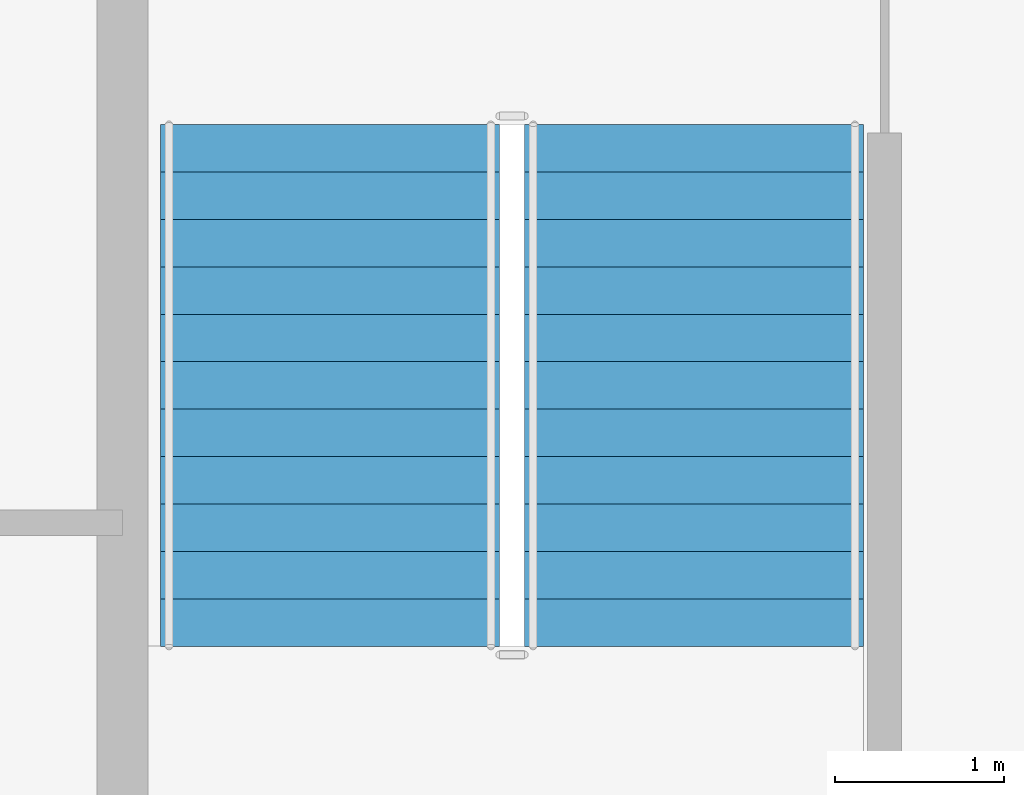
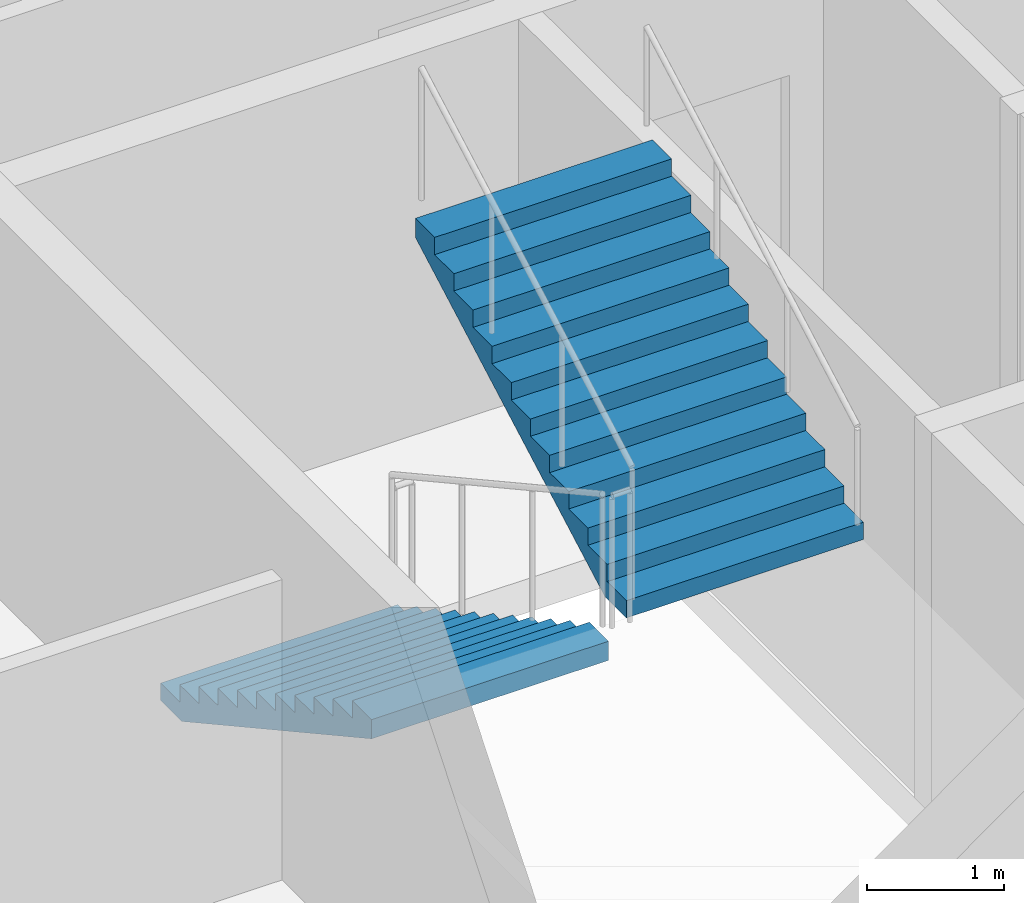
# One storey, part 10 of 14: 2 stair flights, 1 element without a shape of its own.
"""IFC4 building model written with IfcOpenShell, lengths in metres."""

import ifcopenshell
import ifcopenshell.guid

model = None  # the IFC model being written
_history = None  # IfcOwnerHistory: only IFC2X3 demands one
_inside = {}  # id of a spatial element -> (the spatial element, [elements in it])
_under = {}  # id of a project, library or spatial element -> (it, [spatial elements below it])
_declared = {}  # id of a project -> (the project, [libraries it declares])
_typed = {}  # id of a type object -> (the type object, [elements of that type])
_made_of = {}  # id of a material, layer set ... -> (it, [elements and type objects made of it])


def new_model(schema):
    """Start an empty IFC model of exactly this schema.

    Asked for "IFC4X3", IfcOpenShell would pick the latest addendum, in which some entities
    have other attributes; the version numbers below select the first issue.
    IFC2X3 requires an IfcOwnerHistory on every rooted entity: one is made here for all.
    """
    global model, _history
    if schema == "IFC4X3":
        model = ifcopenshell.file(schema_version=(4, 3, 0, 0))
    else:
        model = ifcopenshell.file(schema=schema)
    _inside.clear()
    _under.clear()
    _declared.clear()
    _typed.clear()
    _made_of.clear()
    _history = None
    if model.schema == "IFC2X3":
        org = make("IfcOrganization", Name="unknown")
        user = make(
            "IfcPersonAndOrganization",
            ThePerson=make("IfcPerson", FamilyName="unknown"),
            TheOrganization=org,
        )
        app = make(
            "IfcApplication",
            ApplicationDeveloper=org,
            Version="unknown",
            ApplicationFullName="unknown",
            ApplicationIdentifier="unknown",
        )
        _history = make(
            "IfcOwnerHistory",
            OwningUser=user,
            OwningApplication=app,
            ChangeAction="ADDED",
            CreationDate=0,
        )
    return model


def make(cls, **values):
    """One entity of the class cls with the attributes given. An attribute that is None is left unset."""
    return model.create_entity(
        cls, **{name: value for name, value in values.items() if value is not None}
    )


def rooted(cls, **values):
    """An entity with a GlobalId (a new one), such as an element, a storey or a relation."""
    return make(cls, GlobalId=ifcopenshell.guid.new(), OwnerHistory=_history, **values)


def si_unit(unit_type, name, prefix=None):
    """IfcSIUnit, for example si_unit("LENGTHUNIT", "METRE", prefix="MILLI")."""
    return make("IfcSIUnit", UnitType=unit_type, Prefix=prefix, Name=name)


def assignment(units):
    """IfcUnitAssignment: the units of a project."""
    return None if units is None else make("IfcUnitAssignment", Units=units)


def point(xyz):
    """IfcCartesianPoint."""
    return None if xyz is None else make("IfcCartesianPoint", Coordinates=xyz)


def direction(xyz):
    """IfcDirection."""
    return None if xyz is None else make("IfcDirection", DirectionRatios=xyz)


def frame(location, z_axis=None, x_axis=None):
    """IfcAxis2Placement3D, a coordinate frame: its origin and axes. An axis left out is left unset."""
    return make(
        "IfcAxis2Placement3D",
        Location=point(location),
        Axis=direction(z_axis),
        RefDirection=direction(x_axis),
    )


def origin():
    """The frame at (0, 0, 0) with its axes left unset."""
    return frame((0.0, 0.0, 0.0))


def place(relative_to, where):
    """IfcLocalPlacement: puts the frame where relative to a parent placement (None: the world)."""
    return make(
        "IfcLocalPlacement", PlacementRelTo=relative_to, RelativePlacement=where
    )


def context(
    kind, dimensions, precision=None, world=None, true_north=None, identifier=None
):
    """IfcGeometricRepresentationContext, for example the 3D "Model" context."""
    return make(
        "IfcGeometricRepresentationContext",
        ContextIdentifier=identifier,
        ContextType=kind,
        CoordinateSpaceDimension=dimensions,
        Precision=precision,
        WorldCoordinateSystem=world,
        TrueNorth=true_north,
    )


def subcontext(parent, identifier, kind, view, scale=None):
    """IfcGeometricRepresentationSubContext, for example "Body" below "Model"."""
    return make(
        "IfcGeometricRepresentationSubContext",
        ContextIdentifier=identifier,
        ContextType=kind,
        ParentContext=parent,
        TargetScale=scale,
        TargetView=view,
    )


def project(units=None, contexts=None):
    """IfcProject with its units and contexts."""
    return rooted(
        "IfcProject",
        Name="project",
        RepresentationContexts=contexts,
        UnitsInContext=assignment(units),
    )


def spatial(cls, under=None, at=None, **own):
    """A site, building, storey or space (cls), placed at a placement, below another one or the project."""
    s = rooted(cls, ObjectPlacement=at, **own)
    if under is not None:
        _under.setdefault(under.id(), (under, []))[1].append(s)
    return s


def point_list(points):
    """IfcCartesianPointList2D or 3D."""
    cls = (
        "IfcCartesianPointList2D" if len(points[0]) == 2 else "IfcCartesianPointList3D"
    )
    return make(cls, CoordList=points)


def polygons(points, faces, closed=None, point_numbers=None):
    """IfcPolygonalFaceSet: a face is its outer loop, then its inner loops; points numbered from 1."""
    made = []
    for loops in faces:
        if len(loops) == 1:
            made.append(make("IfcIndexedPolygonalFace", CoordIndex=loops[0]))
        else:
            made.append(
                make(
                    "IfcIndexedPolygonalFaceWithVoids",
                    CoordIndex=loops[0],
                    InnerCoordIndices=loops[1:],
                )
            )
    return make(
        "IfcPolygonalFaceSet",
        Coordinates=point_list(points),
        Closed=closed,
        Faces=made,
        PnIndex=point_numbers,
    )


def shape(context_of_items, identifier, shape_type, items):
    """IfcShapeRepresentation: the items that make up one representation, for example the "Body"."""
    return make(
        "IfcShapeRepresentation",
        ContextOfItems=context_of_items,
        RepresentationIdentifier=identifier,
        RepresentationType=shape_type,
        Items=items,
    )


def material(Name=None, Category=None):
    """IfcMaterial."""
    return make("IfcMaterial", Name=Name, Category=Category)


def made_of(thing, what):
    """Note that an element or type object is made of a material, layer set ...; save() writes the relation."""
    if what is not None:
        _made_of.setdefault(what.id(), (what, []))[1].append(thing)
    return thing


def type_object(cls, material=None, **own):
    """A type object (cls), such as IfcWallType, which elements share."""
    return made_of(rooted(cls, **own), material)


def element(
    cls,
    number,
    at=None,
    inside=None,
    cuts=None,
    type_object=None,
    material=None,
    context=None,
    identifier="Body",
    shape_type=None,
    held_by="IfcProductDefinitionShape",
    body=None,
    shapes=None,
    **own,
):
    """One element of the class cls, such as IfcWall. Its Tag is "e" and its number.

    at: its placement. inside: the storey or other place that contains it. cuts: it is an
    opening in that element (IfcRelVoidsElement). A single representation is given by context,
    identifier, shape_type and body (its items); several are given by shapes. held_by: the class
    of the entity that holds the representations. save() writes the other relations.
    """
    e = rooted(cls, Tag="e%d" % number, ObjectPlacement=at, **own)
    if body is not None:
        shapes = [shape(context, identifier, shape_type, body)]
    if shapes is not None:
        e.Representation = make(held_by, Representations=shapes)
    if inside is not None:
        _inside.setdefault(inside.id(), (inside, []))[1].append(e)
    if cuts is not None:
        rooted(
            "IfcRelVoidsElement", RelatingBuildingElement=cuts, RelatedOpeningElement=e
        )
    if type_object is not None:
        _typed.setdefault(type_object.id(), (type_object, []))[1].append(e)
    return made_of(e, material)


def aggregate(whole, parts):
    """IfcRelAggregates: a whole, such as a stair, and the parts it consists of."""
    return rooted("IfcRelAggregates", RelatingObject=whole, RelatedObjects=parts)


def save(model, path):
    """Write the relations noted so far, then the file.

    IfcRelAggregates (storeys below a building ...), IfcRelContainedInSpatialStructure (elements
    in a storey), IfcRelDefinesByType, IfcRelAssociatesMaterial and IfcRelDeclares: one each for
    every whole, place, type object, material and project.
    """
    for whole, parts in _under.values():
        aggregate(whole, parts)
    for where, things in _inside.values():
        rooted(
            "IfcRelContainedInSpatialStructure",
            RelatedElements=things,
            RelatingStructure=where,
        )
    for kind, things in _typed.values():
        rooted("IfcRelDefinesByType", RelatedObjects=things, RelatingType=kind)
    for what, things in _made_of.values():
        rooted("IfcRelAssociatesMaterial", RelatedObjects=things, RelatingMaterial=what)
    for by, libraries in _declared.values():
        rooted("IfcRelDeclares", RelatingContext=by, RelatedDefinitions=libraries)
    model.write(path)


model = new_model("IFC4")

# Units and contexts
model_context = context("Model", 3, precision=1e-05, world=origin(), true_north=direction((0.0, 1.0)))
body_context = subcontext(model_context, "Body", "Model", "MODEL_VIEW")
ifc_project = project(units=[si_unit("LENGTHUNIT", "METRE"), si_unit("AREAUNIT", "SQUARE_METRE"), si_unit("VOLUMEUNIT", "CUBIC_METRE"), si_unit("PLANEANGLEUNIT", "RADIAN"), si_unit("MASSUNIT", "GRAM", prefix="KILO")], contexts=[model_context])

# Site, building, storey
site_placement = place(None, origin())
site = spatial("IfcSite", under=ifc_project, at=site_placement, CompositionType="ELEMENT")
building_placement = place(site_placement, origin())
building = spatial("IfcBuilding", under=site, at=building_placement, Name="Caravel Reach Hotel and Residences", CompositionType="ELEMENT")
storey_placement = place(building_placement, frame((0.0, 0.0, 161.699951171875)))
storey = spatial("IfcBuildingStorey", under=building, at=storey_placement, Name="L40", CompositionType="ELEMENT", Elevation=161.699951171875)

# Stair, stair flights
ifc_material_1 = material(Name="Concrete C40", Category="concrete")
stair_type = type_object("IfcStairType", Name="Core stair", PredefinedType="HALF_TURN_STAIR", material=ifc_material_1)
stair_placement = place(storey_placement, origin())
stair = element("IfcStair", 1, at=stair_placement, inside=storey, type_object=stair_type, Name="L40 Exit stair A", PredefinedType="HALF_TURN_STAIR")
ifc_material_2 = material(Name="Concrete C40", Category="concrete")
stair_flight_type = type_object("IfcStairFlightType", Name="Core stair flight", PredefinedType="STRAIGHT", material=ifc_material_2)
stair_flight_1_placement = place(storey_placement, frame((19.22509765625, 29.35009765625, 0.0), z_axis=(0.0, 0.0, 1.0), x_axis=(0.0, -1.0, 0.0)))
stair_flight_1 = element("IfcStairFlight", 2, at=stair_flight_1_placement, type_object=stair_flight_type, Name="ST-A flight 1", NumberOfRisers=12, NumberOfTreads=11, PredefinedType="STRAIGHT", RiserHeight=0.154166667, TreadLength=0.28, context=body_context, shape_type="Tessellation", body=[
    polygons([(0.3107950034306102, 1.0, 0.0), (0.3107950034306102, 0.6666666666666667, 0.0), (0.3107950034306102, 0.33333333333333337, 0.0), (0.3107950034306102, 0.0, 0.0), (0.3107950034306102, -0.33333333333333326, 0.0), (0.3107950034306102, -0.6666666666666667, 0.0), (0.3107950034306102, -1.0, 0.0), (3.081, 1.0, 1.524711087717319), (3.081, 0.6666666666666667, 1.524711087717319), (3.081, 0.33333333333333337, 1.524711087717319), (3.081, 0.0, 1.524711087717319), (3.081, -0.33333333333333326, 1.524711087717319), (3.081, -0.6666666666666667, 1.524711087717319), (3.081, -1.0, 1.524711087717319), (3.081, 1.0, 1.695833337), (3.081, 0.6666666666666667, 1.695833337), (3.081, 0.33333333333333337, 1.695833337), (3.081, 0.0, 1.695833337), (3.081, -0.33333333333333326, 1.695833337), (3.081, -0.6666666666666667, 1.695833337), (3.081, -1.0, 1.695833337), (2.8000000000000003, 1.0, 1.695833337), (2.8000000000000003, 0.6666666666666667, 1.695833337), (2.8000000000000003, 0.33333333333333337, 1.695833337), (2.8000000000000003, 0.0, 1.695833337), (2.8000000000000003, -0.33333333333333326, 1.695833337), (2.8000000000000003, -0.6666666666666667, 1.695833337), (2.8000000000000003, -1.0, 1.695833337), (2.8000000000000003, 1.0, 1.5416666700000001), (2.8000000000000003, 0.6666666666666667, 1.5416666700000001), (2.8000000000000003, 0.33333333333333337, 1.5416666700000001), (2.8000000000000003, 0.0, 1.5416666700000001), (2.8000000000000003, -0.33333333333333326, 1.5416666700000001), (2.8000000000000003, -0.6666666666666667, 1.5416666700000001), (2.8000000000000003, -1.0, 1.5416666700000001), (2.5200000000000005, 1.0, 1.5416666700000001), (2.5200000000000005, 0.6666666666666667, 1.5416666700000001), (2.5200000000000005, 0.33333333333333337, 1.5416666700000001), (2.5200000000000005, 0.0, 1.5416666700000001), (2.5200000000000005, -0.33333333333333326, 1.5416666700000001), (2.5200000000000005, -0.6666666666666667, 1.5416666700000001), (2.5200000000000005, -1.0, 1.5416666700000001), (2.5200000000000005, 1.0, 1.387500003), (2.5200000000000005, 0.6666666666666667, 1.387500003), (2.5200000000000005, 0.33333333333333337, 1.387500003), (2.5200000000000005, 0.0, 1.387500003), (2.5200000000000005, -0.33333333333333326, 1.387500003), (2.5200000000000005, -0.6666666666666667, 1.387500003), (2.5200000000000005, -1.0, 1.387500003), (2.24, 1.0, 1.387500003), (2.24, 0.6666666666666667, 1.387500003), (2.24, 0.33333333333333337, 1.387500003), (2.24, 0.0, 1.387500003), (2.24, -0.33333333333333326, 1.387500003), (2.24, -0.6666666666666667, 1.387500003), (2.24, -1.0, 1.387500003), (2.24, 1.0, 1.233333336), (2.24, 0.6666666666666667, 1.233333336), (2.24, 0.33333333333333337, 1.233333336), (2.24, 0.0, 1.233333336), (2.24, -0.33333333333333326, 1.233333336), (2.24, -0.6666666666666667, 1.233333336), (2.24, -1.0, 1.233333336), (1.9600000000000002, 1.0, 1.233333336), (1.9600000000000002, 0.6666666666666667, 1.233333336), (1.9600000000000002, 0.33333333333333337, 1.233333336), (1.9600000000000002, 0.0, 1.233333336), (1.9600000000000002, -0.33333333333333326, 1.233333336), (1.9600000000000002, -0.6666666666666667, 1.233333336), (1.9600000000000002, -1.0, 1.233333336), (1.9600000000000002, 1.0, 1.0791666690000001), (1.9600000000000002, 0.6666666666666667, 1.0791666690000001), (1.9600000000000002, 0.33333333333333337, 1.0791666690000001), (1.9600000000000002, 0.0, 1.0791666690000001), (1.9600000000000002, -0.33333333333333326, 1.0791666690000001), (1.9600000000000002, -0.6666666666666667, 1.0791666690000001), (1.9600000000000002, -1.0, 1.0791666690000001), (1.6800000000000002, 1.0, 1.0791666690000001), (1.6800000000000002, 0.6666666666666667, 1.0791666690000001), (1.6800000000000002, 0.33333333333333337, 1.0791666690000001), (1.6800000000000002, 0.0, 1.0791666690000001), (1.6800000000000002, -0.33333333333333326, 1.0791666690000001), (1.6800000000000002, -0.6666666666666667, 1.0791666690000001), (1.6800000000000002, -1.0, 1.0791666690000001), (1.6800000000000002, 1.0, 0.925000002), (1.6800000000000002, 0.6666666666666667, 0.925000002), (1.6800000000000002, 0.33333333333333337, 0.925000002), (1.6800000000000002, 0.0, 0.925000002), (1.6800000000000002, -0.33333333333333326, 0.925000002), (1.6800000000000002, -0.6666666666666667, 0.925000002), (1.6800000000000002, -1.0, 0.925000002), (1.4000000000000001, 1.0, 0.925000002), (1.4000000000000001, 0.6666666666666667, 0.925000002), (1.4000000000000001, 0.33333333333333337, 0.925000002), (1.4000000000000001, 0.0, 0.925000002), (1.4000000000000001, -0.33333333333333326, 0.925000002), (1.4000000000000001, -0.6666666666666667, 0.925000002), (1.4000000000000001, -1.0, 0.925000002), (1.4000000000000001, 1.0, 0.7708333350000001), (1.4000000000000001, 0.6666666666666667, 0.7708333350000001), (1.4000000000000001, 0.33333333333333337, 0.7708333350000001), (1.4000000000000001, 0.0, 0.7708333350000001), (1.4000000000000001, -0.33333333333333326, 0.7708333350000001), (1.4000000000000001, -0.6666666666666667, 0.7708333350000001), (1.4000000000000001, -1.0, 0.7708333350000001), (1.12, 1.0, 0.7708333350000001), (1.12, 0.6666666666666667, 0.7708333350000001), (1.12, 0.33333333333333337, 0.7708333350000001), (1.12, 0.0, 0.7708333350000001), (1.12, -0.33333333333333326, 0.7708333350000001), (1.12, -0.6666666666666667, 0.7708333350000001), (1.12, -1.0, 0.7708333350000001), (1.12, 1.0, 0.616666668), (1.12, 0.6666666666666667, 0.616666668), (1.12, 0.33333333333333337, 0.616666668), (1.12, 0.0, 0.616666668), (1.12, -0.33333333333333326, 0.616666668), (1.12, -0.6666666666666667, 0.616666668), (1.12, -1.0, 0.616666668), (0.8400000000000001, 1.0, 0.616666668), (0.8400000000000001, 0.6666666666666667, 0.616666668), (0.8400000000000001, 0.33333333333333337, 0.616666668), (0.8400000000000001, 0.0, 0.616666668), (0.8400000000000001, -0.33333333333333326, 0.616666668), (0.8400000000000001, -0.6666666666666667, 0.616666668), (0.8400000000000001, -1.0, 0.616666668), (0.8400000000000001, 1.0, 0.462500001), (0.8400000000000001, 0.6666666666666667, 0.462500001), (0.8400000000000001, 0.33333333333333337, 0.462500001), (0.8400000000000001, 0.0, 0.462500001), (0.8400000000000001, -0.33333333333333326, 0.462500001), (0.8400000000000001, -0.6666666666666667, 0.462500001), (0.8400000000000001, -1.0, 0.462500001), (0.56, 1.0, 0.462500001), (0.56, 0.6666666666666667, 0.462500001), (0.56, 0.33333333333333337, 0.462500001), (0.56, 0.0, 0.462500001), (0.56, -0.33333333333333326, 0.462500001), (0.56, -0.6666666666666667, 0.462500001), (0.56, -1.0, 0.462500001), (0.56, 1.0, 0.308333334), (0.56, 0.6666666666666667, 0.308333334), (0.56, 0.33333333333333337, 0.308333334), (0.56, 0.0, 0.308333334), (0.56, -0.33333333333333326, 0.308333334), (0.56, -0.6666666666666667, 0.308333334), (0.56, -1.0, 0.308333334), (0.28, 1.0, 0.308333334), (0.28, 0.6666666666666667, 0.308333334), (0.28, 0.33333333333333337, 0.308333334), (0.28, 0.0, 0.308333334), (0.28, -0.33333333333333326, 0.308333334), (0.28, -0.6666666666666667, 0.308333334), (0.28, -1.0, 0.308333334), (0.28, 1.0, 0.154166667), (0.28, 0.6666666666666667, 0.154166667), (0.28, 0.33333333333333337, 0.154166667), (0.28, 0.0, 0.154166667), (0.28, -0.33333333333333326, 0.154166667), (0.28, -0.6666666666666667, 0.154166667), (0.28, -1.0, 0.154166667), (-0.001, 1.0, 0.154166667), (-0.001, 0.6666666666666667, 0.154166667), (-0.001, 0.33333333333333337, 0.154166667), (-0.001, 0.0, 0.154166667), (-0.001, -0.33333333333333326, 0.154166667), (-0.001, -0.6666666666666667, 0.154166667), (-0.001, -1.0, 0.154166667), (-0.001, 1.0, 0.0), (-0.001, 0.6666666666666667, 0.0), (-0.001, 0.33333333333333337, 0.0), (-0.001, 0.0, 0.0), (-0.001, -0.33333333333333326, 0.0), (-0.001, -0.6666666666666667, 0.0), (-0.001, -1.0, 0.0)], [[[169, 162, 155, 148, 141, 134, 127, 120, 113, 106, 99, 92, 85, 78, 71, 64, 57, 50, 43, 36, 29, 22, 15, 8, 1]], [[7, 14, 21, 28, 35, 42, 49, 56, 63, 70, 77, 84, 91, 98, 105, 112, 119, 126, 133, 140, 147, 154, 161, 168, 175]], [[1, 8, 9, 2]], [[2, 9, 10, 3]], [[3, 10, 11, 4]], [[4, 11, 12, 5]], [[5, 12, 13, 6]], [[6, 13, 14, 7]], [[8, 15, 16, 9]], [[9, 16, 17, 10]], [[10, 17, 18, 11]], [[11, 18, 19, 12]], [[12, 19, 20, 13]], [[13, 20, 21, 14]], [[15, 22, 23, 16]], [[16, 23, 24, 17]], [[17, 24, 25, 18]], [[18, 25, 26, 19]], [[19, 26, 27, 20]], [[20, 27, 28, 21]], [[22, 29, 30, 23]], [[23, 30, 31, 24]], [[24, 31, 32, 25]], [[25, 32, 33, 26]], [[26, 33, 34, 27]], [[27, 34, 35, 28]], [[29, 36, 37, 30]], [[30, 37, 38, 31]], [[31, 38, 39, 32]], [[32, 39, 40, 33]], [[33, 40, 41, 34]], [[34, 41, 42, 35]], [[36, 43, 44, 37]], [[37, 44, 45, 38]], [[38, 45, 46, 39]], [[39, 46, 47, 40]], [[40, 47, 48, 41]], [[41, 48, 49, 42]], [[43, 50, 51, 44]], [[44, 51, 52, 45]], [[45, 52, 53, 46]], [[46, 53, 54, 47]], [[47, 54, 55, 48]], [[48, 55, 56, 49]], [[50, 57, 58, 51]], [[51, 58, 59, 52]], [[52, 59, 60, 53]], [[53, 60, 61, 54]], [[54, 61, 62, 55]], [[55, 62, 63, 56]], [[57, 64, 65, 58]], [[58, 65, 66, 59]], [[59, 66, 67, 60]], [[60, 67, 68, 61]], [[61, 68, 69, 62]], [[62, 69, 70, 63]], [[64, 71, 72, 65]], [[65, 72, 73, 66]], [[66, 73, 74, 67]], [[67, 74, 75, 68]], [[68, 75, 76, 69]], [[69, 76, 77, 70]], [[71, 78, 79, 72]], [[72, 79, 80, 73]], [[73, 80, 81, 74]], [[74, 81, 82, 75]], [[75, 82, 83, 76]], [[76, 83, 84, 77]], [[78, 85, 86, 79]], [[79, 86, 87, 80]], [[80, 87, 88, 81]], [[81, 88, 89, 82]], [[82, 89, 90, 83]], [[83, 90, 91, 84]], [[85, 92, 93, 86]], [[86, 93, 94, 87]], [[87, 94, 95, 88]], [[88, 95, 96, 89]], [[89, 96, 97, 90]], [[90, 97, 98, 91]], [[92, 99, 100, 93]], [[93, 100, 101, 94]], [[94, 101, 102, 95]], [[95, 102, 103, 96]], [[96, 103, 104, 97]], [[97, 104, 105, 98]], [[99, 106, 107, 100]], [[100, 107, 108, 101]], [[101, 108, 109, 102]], [[102, 109, 110, 103]], [[103, 110, 111, 104]], [[104, 111, 112, 105]], [[106, 113, 114, 107]], [[107, 114, 115, 108]], [[108, 115, 116, 109]], [[109, 116, 117, 110]], [[110, 117, 118, 111]], [[111, 118, 119, 112]], [[113, 120, 121, 114]], [[114, 121, 122, 115]], [[115, 122, 123, 116]], [[116, 123, 124, 117]], [[117, 124, 125, 118]], [[118, 125, 126, 119]], [[120, 127, 128, 121]], [[121, 128, 129, 122]], [[122, 129, 130, 123]], [[123, 130, 131, 124]], [[124, 131, 132, 125]], [[125, 132, 133, 126]], [[127, 134, 135, 128]], [[128, 135, 136, 129]], [[129, 136, 137, 130]], [[130, 137, 138, 131]], [[131, 138, 139, 132]], [[132, 139, 140, 133]], [[134, 141, 142, 135]], [[135, 142, 143, 136]], [[136, 143, 144, 137]], [[137, 144, 145, 138]], [[138, 145, 146, 139]], [[139, 146, 147, 140]], [[141, 148, 149, 142]], [[142, 149, 150, 143]], [[143, 150, 151, 144]], [[144, 151, 152, 145]], [[145, 152, 153, 146]], [[146, 153, 154, 147]], [[148, 155, 156, 149]], [[149, 156, 157, 150]], [[150, 157, 158, 151]], [[151, 158, 159, 152]], [[152, 159, 160, 153]], [[153, 160, 161, 154]], [[155, 162, 163, 156]], [[156, 163, 164, 157]], [[157, 164, 165, 158]], [[158, 165, 166, 159]], [[159, 166, 167, 160]], [[160, 167, 168, 161]], [[162, 169, 170, 163]], [[163, 170, 171, 164]], [[164, 171, 172, 165]], [[165, 172, 173, 166]], [[166, 173, 174, 167]], [[167, 174, 175, 168]], [[169, 1, 2, 170]], [[170, 2, 3, 171]], [[171, 3, 4, 172]], [[172, 4, 5, 173]], [[173, 5, 6, 174]], [[174, 6, 7, 175]]], closed=True),
])
stair_flight_2_placement = place(storey_placement, frame((21.375, 26.27001953125, 1.85009765625), z_axis=(0.0, 0.0, 1.0), x_axis=(0.0, 1.0, 0.0)))
stair_flight_2 = element("IfcStairFlight", 3, at=stair_flight_2_placement, type_object=stair_flight_type, Name="ST-A flight 2", NumberOfRisers=12, NumberOfTreads=11, PredefinedType="STRAIGHT", RiserHeight=0.154166667, TreadLength=0.28, context=body_context, shape_type="Tessellation", body=[
    polygons([(0.3107950034306102, 1.0, 0.0), (0.3107950034306102, 0.6666666666666667, 0.0), (0.3107950034306102, 0.33333333333333337, 0.0), (0.3107950034306102, 0.0, 0.0), (0.3107950034306102, -0.33333333333333326, 0.0), (0.3107950034306102, -0.6666666666666667, 0.0), (0.3107950034306102, -1.0, 0.0), (3.081, 1.0, 1.524711087717319), (3.081, 0.6666666666666667, 1.524711087717319), (3.081, 0.33333333333333337, 1.524711087717319), (3.081, 0.0, 1.524711087717319), (3.081, -0.33333333333333326, 1.524711087717319), (3.081, -0.6666666666666667, 1.524711087717319), (3.081, -1.0, 1.524711087717319), (3.081, 1.0, 1.695833337), (3.081, 0.6666666666666667, 1.695833337), (3.081, 0.33333333333333337, 1.695833337), (3.081, 0.0, 1.695833337), (3.081, -0.33333333333333326, 1.695833337), (3.081, -0.6666666666666667, 1.695833337), (3.081, -1.0, 1.695833337), (2.8000000000000003, 1.0, 1.695833337), (2.8000000000000003, 0.6666666666666667, 1.695833337), (2.8000000000000003, 0.33333333333333337, 1.695833337), (2.8000000000000003, 0.0, 1.695833337), (2.8000000000000003, -0.33333333333333326, 1.695833337), (2.8000000000000003, -0.6666666666666667, 1.695833337), (2.8000000000000003, -1.0, 1.695833337), (2.8000000000000003, 1.0, 1.5416666700000001), (2.8000000000000003, 0.6666666666666667, 1.5416666700000001), (2.8000000000000003, 0.33333333333333337, 1.5416666700000001), (2.8000000000000003, 0.0, 1.5416666700000001), (2.8000000000000003, -0.33333333333333326, 1.5416666700000001), (2.8000000000000003, -0.6666666666666667, 1.5416666700000001), (2.8000000000000003, -1.0, 1.5416666700000001), (2.5200000000000005, 1.0, 1.5416666700000001), (2.5200000000000005, 0.6666666666666667, 1.5416666700000001), (2.5200000000000005, 0.33333333333333337, 1.5416666700000001), (2.5200000000000005, 0.0, 1.5416666700000001), (2.5200000000000005, -0.33333333333333326, 1.5416666700000001), (2.5200000000000005, -0.6666666666666667, 1.5416666700000001), (2.5200000000000005, -1.0, 1.5416666700000001), (2.5200000000000005, 1.0, 1.387500003), (2.5200000000000005, 0.6666666666666667, 1.387500003), (2.5200000000000005, 0.33333333333333337, 1.387500003), (2.5200000000000005, 0.0, 1.387500003), (2.5200000000000005, -0.33333333333333326, 1.387500003), (2.5200000000000005, -0.6666666666666667, 1.387500003), (2.5200000000000005, -1.0, 1.387500003), (2.24, 1.0, 1.387500003), (2.24, 0.6666666666666667, 1.387500003), (2.24, 0.33333333333333337, 1.387500003), (2.24, 0.0, 1.387500003), (2.24, -0.33333333333333326, 1.387500003), (2.24, -0.6666666666666667, 1.387500003), (2.24, -1.0, 1.387500003), (2.24, 1.0, 1.233333336), (2.24, 0.6666666666666667, 1.233333336), (2.24, 0.33333333333333337, 1.233333336), (2.24, 0.0, 1.233333336), (2.24, -0.33333333333333326, 1.233333336), (2.24, -0.6666666666666667, 1.233333336), (2.24, -1.0, 1.233333336), (1.9600000000000002, 1.0, 1.233333336), (1.9600000000000002, 0.6666666666666667, 1.233333336), (1.9600000000000002, 0.33333333333333337, 1.233333336), (1.9600000000000002, 0.0, 1.233333336), (1.9600000000000002, -0.33333333333333326, 1.233333336), (1.9600000000000002, -0.6666666666666667, 1.233333336), (1.9600000000000002, -1.0, 1.233333336), (1.9600000000000002, 1.0, 1.0791666690000001), (1.9600000000000002, 0.6666666666666667, 1.0791666690000001), (1.9600000000000002, 0.33333333333333337, 1.0791666690000001), (1.9600000000000002, 0.0, 1.0791666690000001), (1.9600000000000002, -0.33333333333333326, 1.0791666690000001), (1.9600000000000002, -0.6666666666666667, 1.0791666690000001), (1.9600000000000002, -1.0, 1.0791666690000001), (1.6800000000000002, 1.0, 1.0791666690000001), (1.6800000000000002, 0.6666666666666667, 1.0791666690000001), (1.6800000000000002, 0.33333333333333337, 1.0791666690000001), (1.6800000000000002, 0.0, 1.0791666690000001), (1.6800000000000002, -0.33333333333333326, 1.0791666690000001), (1.6800000000000002, -0.6666666666666667, 1.0791666690000001), (1.6800000000000002, -1.0, 1.0791666690000001), (1.6800000000000002, 1.0, 0.925000002), (1.6800000000000002, 0.6666666666666667, 0.925000002), (1.6800000000000002, 0.33333333333333337, 0.925000002), (1.6800000000000002, 0.0, 0.925000002), (1.6800000000000002, -0.33333333333333326, 0.925000002), (1.6800000000000002, -0.6666666666666667, 0.925000002), (1.6800000000000002, -1.0, 0.925000002), (1.4000000000000001, 1.0, 0.925000002), (1.4000000000000001, 0.6666666666666667, 0.925000002), (1.4000000000000001, 0.33333333333333337, 0.925000002), (1.4000000000000001, 0.0, 0.925000002), (1.4000000000000001, -0.33333333333333326, 0.925000002), (1.4000000000000001, -0.6666666666666667, 0.925000002), (1.4000000000000001, -1.0, 0.925000002), (1.4000000000000001, 1.0, 0.7708333350000001), (1.4000000000000001, 0.6666666666666667, 0.7708333350000001), (1.4000000000000001, 0.33333333333333337, 0.7708333350000001), (1.4000000000000001, 0.0, 0.7708333350000001), (1.4000000000000001, -0.33333333333333326, 0.7708333350000001), (1.4000000000000001, -0.6666666666666667, 0.7708333350000001), (1.4000000000000001, -1.0, 0.7708333350000001), (1.12, 1.0, 0.7708333350000001), (1.12, 0.6666666666666667, 0.7708333350000001), (1.12, 0.33333333333333337, 0.7708333350000001), (1.12, 0.0, 0.7708333350000001), (1.12, -0.33333333333333326, 0.7708333350000001), (1.12, -0.6666666666666667, 0.7708333350000001), (1.12, -1.0, 0.7708333350000001), (1.12, 1.0, 0.616666668), (1.12, 0.6666666666666667, 0.616666668), (1.12, 0.33333333333333337, 0.616666668), (1.12, 0.0, 0.616666668), (1.12, -0.33333333333333326, 0.616666668), (1.12, -0.6666666666666667, 0.616666668), (1.12, -1.0, 0.616666668), (0.8400000000000001, 1.0, 0.616666668), (0.8400000000000001, 0.6666666666666667, 0.616666668), (0.8400000000000001, 0.33333333333333337, 0.616666668), (0.8400000000000001, 0.0, 0.616666668), (0.8400000000000001, -0.33333333333333326, 0.616666668), (0.8400000000000001, -0.6666666666666667, 0.616666668), (0.8400000000000001, -1.0, 0.616666668), (0.8400000000000001, 1.0, 0.462500001), (0.8400000000000001, 0.6666666666666667, 0.462500001), (0.8400000000000001, 0.33333333333333337, 0.462500001), (0.8400000000000001, 0.0, 0.462500001), (0.8400000000000001, -0.33333333333333326, 0.462500001), (0.8400000000000001, -0.6666666666666667, 0.462500001), (0.8400000000000001, -1.0, 0.462500001), (0.56, 1.0, 0.462500001), (0.56, 0.6666666666666667, 0.462500001), (0.56, 0.33333333333333337, 0.462500001), (0.56, 0.0, 0.462500001), (0.56, -0.33333333333333326, 0.462500001), (0.56, -0.6666666666666667, 0.462500001), (0.56, -1.0, 0.462500001), (0.56, 1.0, 0.308333334), (0.56, 0.6666666666666667, 0.308333334), (0.56, 0.33333333333333337, 0.308333334), (0.56, 0.0, 0.308333334), (0.56, -0.33333333333333326, 0.308333334), (0.56, -0.6666666666666667, 0.308333334), (0.56, -1.0, 0.308333334), (0.28, 1.0, 0.308333334), (0.28, 0.6666666666666667, 0.308333334), (0.28, 0.33333333333333337, 0.308333334), (0.28, 0.0, 0.308333334), (0.28, -0.33333333333333326, 0.308333334), (0.28, -0.6666666666666667, 0.308333334), (0.28, -1.0, 0.308333334), (0.28, 1.0, 0.154166667), (0.28, 0.6666666666666667, 0.154166667), (0.28, 0.33333333333333337, 0.154166667), (0.28, 0.0, 0.154166667), (0.28, -0.33333333333333326, 0.154166667), (0.28, -0.6666666666666667, 0.154166667), (0.28, -1.0, 0.154166667), (-0.001, 1.0, 0.154166667), (-0.001, 0.6666666666666667, 0.154166667), (-0.001, 0.33333333333333337, 0.154166667), (-0.001, 0.0, 0.154166667), (-0.001, -0.33333333333333326, 0.154166667), (-0.001, -0.6666666666666667, 0.154166667), (-0.001, -1.0, 0.154166667), (-0.001, 1.0, 0.0), (-0.001, 0.6666666666666667, 0.0), (-0.001, 0.33333333333333337, 0.0), (-0.001, 0.0, 0.0), (-0.001, -0.33333333333333326, 0.0), (-0.001, -0.6666666666666667, 0.0), (-0.001, -1.0, 0.0)], [[[169, 162, 155, 148, 141, 134, 127, 120, 113, 106, 99, 92, 85, 78, 71, 64, 57, 50, 43, 36, 29, 22, 15, 8, 1]], [[7, 14, 21, 28, 35, 42, 49, 56, 63, 70, 77, 84, 91, 98, 105, 112, 119, 126, 133, 140, 147, 154, 161, 168, 175]], [[1, 8, 9, 2]], [[2, 9, 10, 3]], [[3, 10, 11, 4]], [[4, 11, 12, 5]], [[5, 12, 13, 6]], [[6, 13, 14, 7]], [[8, 15, 16, 9]], [[9, 16, 17, 10]], [[10, 17, 18, 11]], [[11, 18, 19, 12]], [[12, 19, 20, 13]], [[13, 20, 21, 14]], [[15, 22, 23, 16]], [[16, 23, 24, 17]], [[17, 24, 25, 18]], [[18, 25, 26, 19]], [[19, 26, 27, 20]], [[20, 27, 28, 21]], [[22, 29, 30, 23]], [[23, 30, 31, 24]], [[24, 31, 32, 25]], [[25, 32, 33, 26]], [[26, 33, 34, 27]], [[27, 34, 35, 28]], [[29, 36, 37, 30]], [[30, 37, 38, 31]], [[31, 38, 39, 32]], [[32, 39, 40, 33]], [[33, 40, 41, 34]], [[34, 41, 42, 35]], [[36, 43, 44, 37]], [[37, 44, 45, 38]], [[38, 45, 46, 39]], [[39, 46, 47, 40]], [[40, 47, 48, 41]], [[41, 48, 49, 42]], [[43, 50, 51, 44]], [[44, 51, 52, 45]], [[45, 52, 53, 46]], [[46, 53, 54, 47]], [[47, 54, 55, 48]], [[48, 55, 56, 49]], [[50, 57, 58, 51]], [[51, 58, 59, 52]], [[52, 59, 60, 53]], [[53, 60, 61, 54]], [[54, 61, 62, 55]], [[55, 62, 63, 56]], [[57, 64, 65, 58]], [[58, 65, 66, 59]], [[59, 66, 67, 60]], [[60, 67, 68, 61]], [[61, 68, 69, 62]], [[62, 69, 70, 63]], [[64, 71, 72, 65]], [[65, 72, 73, 66]], [[66, 73, 74, 67]], [[67, 74, 75, 68]], [[68, 75, 76, 69]], [[69, 76, 77, 70]], [[71, 78, 79, 72]], [[72, 79, 80, 73]], [[73, 80, 81, 74]], [[74, 81, 82, 75]], [[75, 82, 83, 76]], [[76, 83, 84, 77]], [[78, 85, 86, 79]], [[79, 86, 87, 80]], [[80, 87, 88, 81]], [[81, 88, 89, 82]], [[82, 89, 90, 83]], [[83, 90, 91, 84]], [[85, 92, 93, 86]], [[86, 93, 94, 87]], [[87, 94, 95, 88]], [[88, 95, 96, 89]], [[89, 96, 97, 90]], [[90, 97, 98, 91]], [[92, 99, 100, 93]], [[93, 100, 101, 94]], [[94, 101, 102, 95]], [[95, 102, 103, 96]], [[96, 103, 104, 97]], [[97, 104, 105, 98]], [[99, 106, 107, 100]], [[100, 107, 108, 101]], [[101, 108, 109, 102]], [[102, 109, 110, 103]], [[103, 110, 111, 104]], [[104, 111, 112, 105]], [[106, 113, 114, 107]], [[107, 114, 115, 108]], [[108, 115, 116, 109]], [[109, 116, 117, 110]], [[110, 117, 118, 111]], [[111, 118, 119, 112]], [[113, 120, 121, 114]], [[114, 121, 122, 115]], [[115, 122, 123, 116]], [[116, 123, 124, 117]], [[117, 124, 125, 118]], [[118, 125, 126, 119]], [[120, 127, 128, 121]], [[121, 128, 129, 122]], [[122, 129, 130, 123]], [[123, 130, 131, 124]], [[124, 131, 132, 125]], [[125, 132, 133, 126]], [[127, 134, 135, 128]], [[128, 135, 136, 129]], [[129, 136, 137, 130]], [[130, 137, 138, 131]], [[131, 138, 139, 132]], [[132, 139, 140, 133]], [[134, 141, 142, 135]], [[135, 142, 143, 136]], [[136, 143, 144, 137]], [[137, 144, 145, 138]], [[138, 145, 146, 139]], [[139, 146, 147, 140]], [[141, 148, 149, 142]], [[142, 149, 150, 143]], [[143, 150, 151, 144]], [[144, 151, 152, 145]], [[145, 152, 153, 146]], [[146, 153, 154, 147]], [[148, 155, 156, 149]], [[149, 156, 157, 150]], [[150, 157, 158, 151]], [[151, 158, 159, 152]], [[152, 159, 160, 153]], [[153, 160, 161, 154]], [[155, 162, 163, 156]], [[156, 163, 164, 157]], [[157, 164, 165, 158]], [[158, 165, 166, 159]], [[159, 166, 167, 160]], [[160, 167, 168, 161]], [[162, 169, 170, 163]], [[163, 170, 171, 164]], [[164, 171, 172, 165]], [[165, 172, 173, 166]], [[166, 173, 174, 167]], [[167, 174, 175, 168]], [[169, 1, 2, 170]], [[170, 2, 3, 171]], [[171, 3, 4, 172]], [[172, 4, 5, 173]], [[173, 5, 6, 174]], [[174, 6, 7, 175]]], closed=True),
])
aggregate(stair, [stair_flight_1, stair_flight_2])

save(model, "model.ifc")
